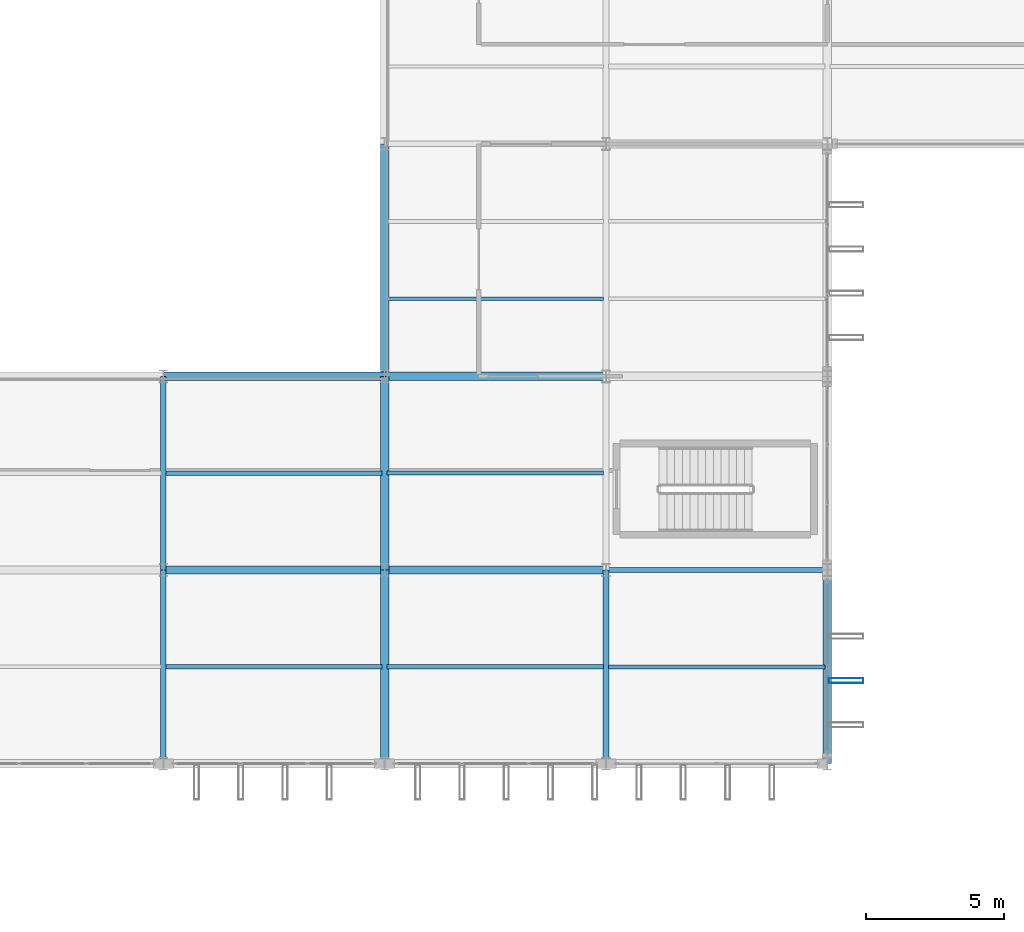
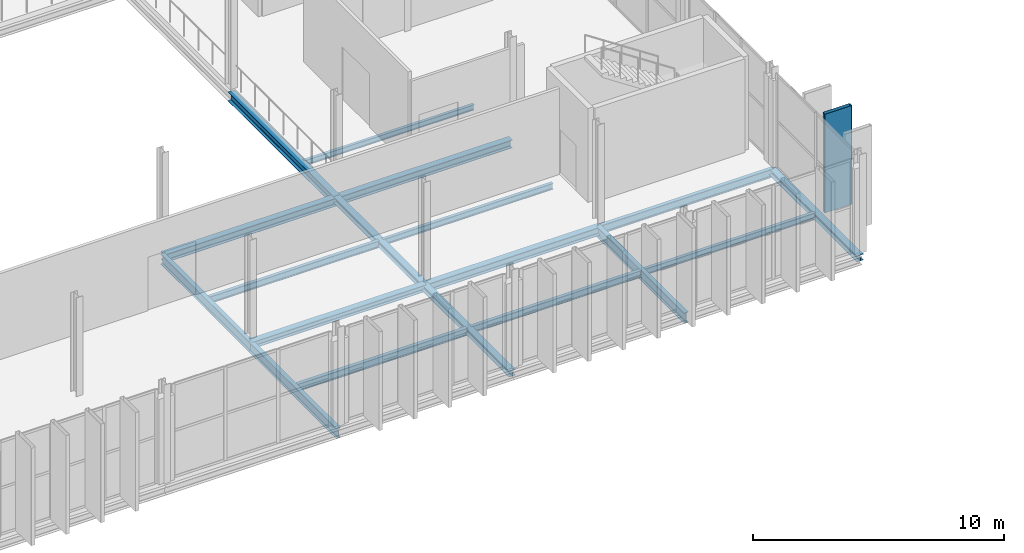
# One storey, part 31 of 120: 18 beams, 1 member.
"""IFC4 building model written with IfcOpenShell, lengths in metres."""

from ifc_helpers import new_model, si_unit, direction, frame, origin, origin_2d, place, context, subcontext, project, spatial, hollow_rectangle, i_section, extrude, material, material_profile, profile_set, type_object, element, save


model = new_model("IFC4")

# Units and contexts
model_context = context("Model", 3, precision=1e-05, world=origin(), true_north=direction((0.0, 1.0)))
body_context = subcontext(model_context, "Body", "Model", "MODEL_VIEW")
ifc_project = project(units=[si_unit("LENGTHUNIT", "METRE"), si_unit("AREAUNIT", "SQUARE_METRE"), si_unit("VOLUMEUNIT", "CUBIC_METRE"), si_unit("PLANEANGLEUNIT", "RADIAN"), si_unit("MASSUNIT", "GRAM", prefix="KILO")], contexts=[model_context])

# Site, building, storey
site_placement = place(None, origin())
site = spatial("IfcSite", under=ifc_project, at=site_placement, CompositionType="ELEMENT")
building_placement = place(site_placement, origin())
building = spatial("IfcBuilding", under=site, at=building_placement, Name="Vekula Escarpment Museum", CompositionType="ELEMENT")
storey_placement = place(building_placement, frame((0.0, 0.0, 13.199951171875)))
storey = spatial("IfcBuildingStorey", under=building, at=storey_placement, Name="L03", CompositionType="ELEMENT", Elevation=13.199951171875)

# Beams
ifc_material_1 = material(Name="Steel S355", Category="steel")
ifc_material_profile_1 = material_profile(ifc_material_1, i_section(OverallWidth=0.300048828125, OverallDepth=0.320068359375, WebThickness=0.011474609375, FlangeThickness=0.0205078125, FilletRadius=0.027099609375, at=origin_2d()), Name="HEB 320")
ifc_profile_set_1 = profile_set([ifc_material_profile_1], Name="Steel S355")
beam_type_1 = type_object("IfcBeamType", Name="BM-GIRD-HEB320", PredefinedType="BEAM", material=ifc_profile_set_1)
beam_1_placement = place(storey_placement, frame((102.0, 52.60009765625, -0.409912109375), z_axis=(1.0, 0.0, 0.0), x_axis=(0.0, 1.0, 0.0)))
element("IfcBeam", 1, at=beam_1_placement, inside=storey, type_object=beam_type_1, Name="Beam X L03 1333", PredefinedType="BEAM", context=body_context, shape_type="SweptSolid", body=[
    extrude(i_section(OverallWidth=0.300048828125, OverallDepth=0.320068359375, WebThickness=0.011474609375, FlangeThickness=0.0205078125, FilletRadius=0.027099609375, at=origin_2d()), origin(), (0.0, 0.0, 1.0), 8.0),
])
ifc_material_2 = material(Name="Steel S355", Category="steel")
ifc_material_profile_2 = material_profile(ifc_material_2, i_section(OverallWidth=0.300048828125, OverallDepth=0.39990234375, WebThickness=0.013427734375, FlangeThickness=0.02392578125, FilletRadius=0.027099609375, at=origin_2d()), Name="HEB 400")
ifc_profile_set_2 = profile_set([ifc_material_profile_2], Name="Steel S355")
beam_type_2 = type_object("IfcBeamType", Name="BM-GIRD-HEB400", PredefinedType="BEAM", material=ifc_profile_set_2)
beam_2_placement = place(storey_placement, frame((110.0, 52.60009765625, -0.449951171875), z_axis=(1.0, 0.0, 0.0), x_axis=(0.0, 1.0, 0.0)))
element("IfcBeam", 2, at=beam_2_placement, inside=storey, type_object=beam_type_2, Name="Beam X L03 1334", PredefinedType="BEAM", context=body_context, shape_type="SweptSolid", body=[
    extrude(i_section(OverallWidth=0.300048828125, OverallDepth=0.39990234375, WebThickness=0.013427734375, FlangeThickness=0.02392578125, FilletRadius=0.027099609375, at=origin_2d()), origin(), (0.0, 0.0, 1.0), 8.0),
])
ifc_material_3 = material(Name="Steel S355", Category="steel")
ifc_material_profile_3 = material_profile(ifc_material_3, i_section(OverallWidth=0.179931640625, OverallDepth=0.39990234375, WebThickness=0.008544921875, FlangeThickness=0.013427734375, FilletRadius=0.02099609375, at=origin_2d()), Name="IPE 400")
ifc_profile_set_3 = profile_set([ifc_material_profile_3], Name="Steel S355")
beam_type_3 = type_object("IfcBeamType", Name="BM-GIRD-IPE400", PredefinedType="BEAM", material=ifc_profile_set_3)
beam_3_placement = place(storey_placement, frame((118.0, 52.60009765625, -0.449951171875), z_axis=(1.0, 0.0, 0.0), x_axis=(0.0, 1.0, 0.0)))
element("IfcBeam", 3, at=beam_3_placement, inside=storey, type_object=beam_type_3, Name="Beam X L03 1335", PredefinedType="BEAM", context=body_context, shape_type="SweptSolid", body=[
    extrude(i_section(OverallWidth=0.179931640625, OverallDepth=0.39990234375, WebThickness=0.008544921875, FlangeThickness=0.013427734375, FilletRadius=0.02099609375, at=origin_2d()), origin(), (0.0, 0.0, 1.0), 8.0),
])
ifc_material_4 = material(Name="Steel S355", Category="steel")
ifc_material_profile_4 = material_profile(ifc_material_4, i_section(OverallWidth=0.199951171875, OverallDepth=0.5, WebThickness=0.01025390625, FlangeThickness=0.01611328125, FilletRadius=0.02099609375, at=origin_2d()), Name="IPE 500")
ifc_profile_set_4 = profile_set([ifc_material_profile_4], Name="Steel S355")
beam_type_4 = type_object("IfcBeamType", Name="BM-GIRD-IPE500", PredefinedType="BEAM", material=ifc_profile_set_4)
for number, where, z_axis, x_axis, name in (
    (4, (102.0, 45.60009765625, -0.5), (0.0, 1.0, 0.0), (-1.0, 0.0, 0.0), "Beam Y L03 1597"),
    (5, (102.0, 52.60009765625, -0.5), (0.0, 1.0, 0.0), (-1.0, 0.0, 0.0), "Beam Y L03 1598"),
    (6, (118.0, 45.60009765625, -0.5), (0.0, 1.0, 0.0), (-1.0, 0.0, 0.0), "Beam Y L03 1618"),
):
    element("IfcBeam", number, at=place(storey_placement, frame(where, z_axis=z_axis, x_axis=x_axis)), inside=storey, type_object=beam_type_4, Name=name, PredefinedType="BEAM", context=body_context, shape_type="SweptSolid", body=[
        extrude(i_section(OverallWidth=0.199951171875, OverallDepth=0.5, WebThickness=0.01025390625, FlangeThickness=0.01611328125, FilletRadius=0.02099609375, at=origin_2d()), origin(), (0.0, 0.0, 1.0), 7.0),
    ])
ifc_material_5 = material(Name="Steel S355", Category="steel")
ifc_material_profile_5 = material_profile(ifc_material_5, i_section(OverallWidth=0.135009765625, OverallDepth=0.27001953125, WebThickness=0.006591796875, FlangeThickness=0.01025390625, FilletRadius=0.014892578125, at=origin_2d()), Name="IPE 270")
ifc_profile_set_5 = profile_set([ifc_material_profile_5], Name="Steel S355")
beam_type_5 = type_object("IfcBeamType", Name="BM-JST-IPE270", PredefinedType="JOIST", material=ifc_profile_set_5)
beam_4_placement = place(storey_placement, frame((110.090087890625, 62.39990234375, -0.385009765625), z_axis=(1.0, 0.0, 0.0), x_axis=(0.0, 1.0, 0.0)))
element("IfcBeam", 7, at=beam_4_placement, inside=storey, type_object=beam_type_5, Name="Secondary Joist L03 1059", PredefinedType="JOIST", context=body_context, shape_type="SweptSolid", body=[
    extrude(i_section(OverallWidth=0.135009765625, OverallDepth=0.27001953125, WebThickness=0.006591796875, FlangeThickness=0.01025390625, FilletRadius=0.014892578125, at=origin_2d()), origin(), (0.0, 0.0, 1.0), 7.81982421875),
])
ifc_material_6 = material(Name="Steel S355", Category="steel")
ifc_material_profile_6 = material_profile(ifc_material_6, i_section(OverallWidth=0.14990234375, OverallDepth=0.300048828125, WebThickness=0.007080078125, FlangeThickness=0.0107421875, FilletRadius=0.014892578125, at=origin_2d()), Name="IPE 300")
ifc_profile_set_6 = profile_set([ifc_material_profile_6], Name="Steel S355")
beam_type_6 = type_object("IfcBeamType", Name="BM-JST-IPE300", PredefinedType="JOIST", material=ifc_profile_set_6)
for number, where, z_axis, x_axis, name in (
    (8, (110.090087890625, 56.10009765625, -0.39990234375), (1.0, 0.0, 0.0), (0.0, 1.0, 0.0), "Secondary Joist L03 1058"),
    (9, (118.090087890625, 49.10009765625, -0.39990234375), (1.0, 0.0, 0.0), (0.0, 1.0, 0.0), "Secondary Joist L03 1067"),
):
    element("IfcBeam", number, at=place(storey_placement, frame(where, z_axis=z_axis, x_axis=x_axis)), inside=storey, type_object=beam_type_6, Name=name, PredefinedType="JOIST", context=body_context, shape_type="SweptSolid", body=[
        extrude(i_section(OverallWidth=0.14990234375, OverallDepth=0.300048828125, WebThickness=0.007080078125, FlangeThickness=0.0107421875, FilletRadius=0.014892578125, at=origin_2d()), origin(), (0.0, 0.0, 1.0), 7.81982421875),
    ])
ifc_material_7 = material(Name="Steel S355", Category="steel")
ifc_material_profile_7 = material_profile(ifc_material_7, i_section(OverallWidth=0.159912109375, OverallDepth=0.330078125, WebThickness=0.007568359375, FlangeThickness=0.011474609375, FilletRadius=0.01806640625, at=origin_2d()), Name="IPE 330")
ifc_profile_set_7 = profile_set([ifc_material_profile_7], Name="Steel S355")
beam_type_7 = type_object("IfcBeamType", Name="BM-JST-IPE330", PredefinedType="JOIST", material=ifc_profile_set_7)
for number, where, z_axis, x_axis, name in (
    (10, (102.090087890625, 56.10009765625, -0.4150390625), (1.0, 0.0, 0.0), (0.0, 1.0, 0.0), "Secondary Joist L03 1048"),
    (11, (110.090087890625, 49.10009765625, -0.4150390625), (1.0, 0.0, 0.0), (0.0, 1.0, 0.0), "Secondary Joist L03 1057"),
):
    element("IfcBeam", number, at=place(storey_placement, frame(where, z_axis=z_axis, x_axis=x_axis)), inside=storey, type_object=beam_type_7, Name=name, PredefinedType="JOIST", context=body_context, shape_type="SweptSolid", body=[
        extrude(i_section(OverallWidth=0.159912109375, OverallDepth=0.330078125, WebThickness=0.007568359375, FlangeThickness=0.011474609375, FilletRadius=0.01806640625, at=origin_2d()), origin(), (0.0, 0.0, 1.0), 7.81982421875),
    ])
ifc_material_8 = material(Name="Steel S355", Category="steel")
ifc_material_profile_8 = material_profile(ifc_material_8, i_section(OverallWidth=0.169921875, OverallDepth=0.360107421875, WebThickness=0.008056640625, FlangeThickness=0.0126953125, FilletRadius=0.01806640625, at=origin_2d()), Name="IPE 360")
ifc_profile_set_8 = profile_set([ifc_material_profile_8], Name="Steel S355")
beam_type_8 = type_object("IfcBeamType", Name="BM-JST-IPE360", PredefinedType="JOIST", material=ifc_profile_set_8)
beam_5_placement = place(storey_placement, frame((102.090087890625, 49.10009765625, -0.429931640625), z_axis=(1.0, 0.0, 0.0), x_axis=(0.0, 1.0, 0.0)))
element("IfcBeam", 12, at=beam_5_placement, inside=storey, type_object=beam_type_8, Name="Secondary Joist L03 1047", PredefinedType="JOIST", context=body_context, shape_type="SweptSolid", body=[
    extrude(i_section(OverallWidth=0.169921875, OverallDepth=0.360107421875, WebThickness=0.008056640625, FlangeThickness=0.0126953125, FilletRadius=0.01806640625, at=origin_2d()), origin(), (0.0, 0.0, 1.0), 7.81982421875),
])
ifc_material_9 = material(Name="Steel S355", Category="steel")
ifc_material_profile_9 = material_profile(ifc_material_9, i_section(OverallWidth=0.300048828125, OverallDepth=0.2900390625, WebThickness=0.008544921875, FlangeThickness=0.013916015625, FilletRadius=0.027099609375, at=origin_2d()), Name="HEA 300")
ifc_profile_set_9 = profile_set([ifc_material_profile_9], Name="Steel S355")
beam_type_9 = type_object("IfcBeamType", Name="BM-SPAN-HEA300", PredefinedType="SPANDREL", material=ifc_profile_set_9)
for number, where, z_axis, x_axis, name in (
    (13, (110.0, 45.60009765625, -0.39501953125), (0.0, 1.0, 0.0), (-1.0, 0.0, 0.0), "Beam Y L03 1609"),
    (14, (110.0, 52.60009765625, -0.39501953125), (0.0, 1.0, 0.0), (-1.0, 0.0, 0.0), "Beam Y L03 1610"),
    (15, (126.0, 45.60009765625, -0.39501953125), (0.0, 1.0, 0.0), (-1.0, 0.0, 0.0), "Beam Y L03 1625"),
):
    element("IfcBeam", number, at=place(storey_placement, frame(where, z_axis=z_axis, x_axis=x_axis)), inside=storey, type_object=beam_type_9, Name=name, PredefinedType="SPANDREL", context=body_context, shape_type="SweptSolid", body=[
        extrude(i_section(OverallWidth=0.300048828125, OverallDepth=0.2900390625, WebThickness=0.008544921875, FlangeThickness=0.013916015625, FilletRadius=0.027099609375, at=origin_2d()), origin(), (0.0, 0.0, 1.0), 7.0),
    ])
ifc_material_10 = material(Name="Steel S355", Category="steel")
ifc_material_profile_10 = material_profile(ifc_material_10, i_section(OverallWidth=0.300048828125, OverallDepth=0.389892578125, WebThickness=0.010986328125, FlangeThickness=0.01904296875, FilletRadius=0.027099609375, at=origin_2d()), Name="HEA 400")
ifc_profile_set_10 = profile_set([ifc_material_profile_10], Name="Steel S355")
beam_type_10 = type_object("IfcBeamType", Name="BM-SPAN-HEA400", PredefinedType="SPANDREL", material=ifc_profile_set_10)
for number, where, z_axis, x_axis, name in (
    (16, (102.0, 59.60009765625, -0.445068359375), (1.0, 0.0, 0.0), (0.0, 1.0, 0.0), "Beam X L03 1351"),
    (17, (110.0, 59.60009765625, -0.445068359375), (1.0, 0.0, 0.0), (0.0, 1.0, 0.0), "Beam X L03 1352"),
):
    element("IfcBeam", number, at=place(storey_placement, frame(where, z_axis=z_axis, x_axis=x_axis)), inside=storey, type_object=beam_type_10, Name=name, PredefinedType="SPANDREL", context=body_context, shape_type="SweptSolid", body=[
        extrude(i_section(OverallWidth=0.300048828125, OverallDepth=0.389892578125, WebThickness=0.010986328125, FlangeThickness=0.01904296875, FilletRadius=0.027099609375, at=origin_2d()), origin(), (0.0, 0.0, 1.0), 8.0),
    ])
ifc_material_11 = material(Name="Steel S355", Category="steel")
ifc_material_profile_11 = material_profile(ifc_material_11, i_section(OverallWidth=0.300048828125, OverallDepth=0.43994140625, WebThickness=0.011474609375, FlangeThickness=0.02099609375, FilletRadius=0.027099609375, at=origin_2d()), Name="HEA 450")
ifc_profile_set_11 = profile_set([ifc_material_profile_11], Name="Steel S355")
beam_type_11 = type_object("IfcBeamType", Name="BM-SPAN-HEA450", PredefinedType="SPANDREL", material=ifc_profile_set_11)
beam_6_placement = place(storey_placement, frame((110.0, 59.60009765625, -0.469970703125), z_axis=(0.0, 1.0, 0.0), x_axis=(-1.0, 0.0, 0.0)))
element("IfcBeam", 18, at=beam_6_placement, inside=storey, type_object=beam_type_11, Name="Beam Y L03 1611", PredefinedType="SPANDREL", context=body_context, shape_type="SweptSolid", body=[
    extrude(i_section(OverallWidth=0.300048828125, OverallDepth=0.43994140625, WebThickness=0.011474609375, FlangeThickness=0.02099609375, FilletRadius=0.027099609375, at=origin_2d()), origin(), (0.0, 0.0, 1.0), 8.39990234375),
])

# Member
ifc_material_12 = material(Name="Steel S355 weathered bronze solar fin", Category="steel")
ifc_material_profile_12 = material_profile(ifc_material_12, hollow_rectangle(XDim=0.179931640625, YDim=1.25, WallThickness=0.010009765625, InnerFilletRadius=0.010009765625, OuterFilletRadius=0.02001953125, at=origin_2d()), Name="RHS 1250x180x10")
ifc_profile_set_12 = profile_set([ifc_material_profile_12], Name="Steel S355 weathered bronze solar fin")
member_type = type_object("IfcMemberType", Name="MB-SOLAR-FIN", PredefinedType="USERDEFINED", material=ifc_profile_set_12)
member_placement = place(storey_placement, frame((126.679931640625, 48.60009765625, 0.0), z_axis=(0.0, 0.0, 1.0), x_axis=(0.0, 1.0, 0.0)))
element("IfcMember", 19, at=member_placement, inside=storey, type_object=member_type, Name="Great Hall Vertical Solar Fin 0358", ObjectType="SOLAR FIN", PredefinedType="USERDEFINED", context=body_context, shape_type="SweptSolid", body=[
    extrude(hollow_rectangle(XDim=0.179931640625, YDim=1.25, WallThickness=0.010009765625, InnerFilletRadius=0.010009765625, OuterFilletRadius=0.02001953125, at=origin_2d()), origin(), (0.0, 0.0, 1.0), 4.800048828125),
])

save(model, "model.ifc")
